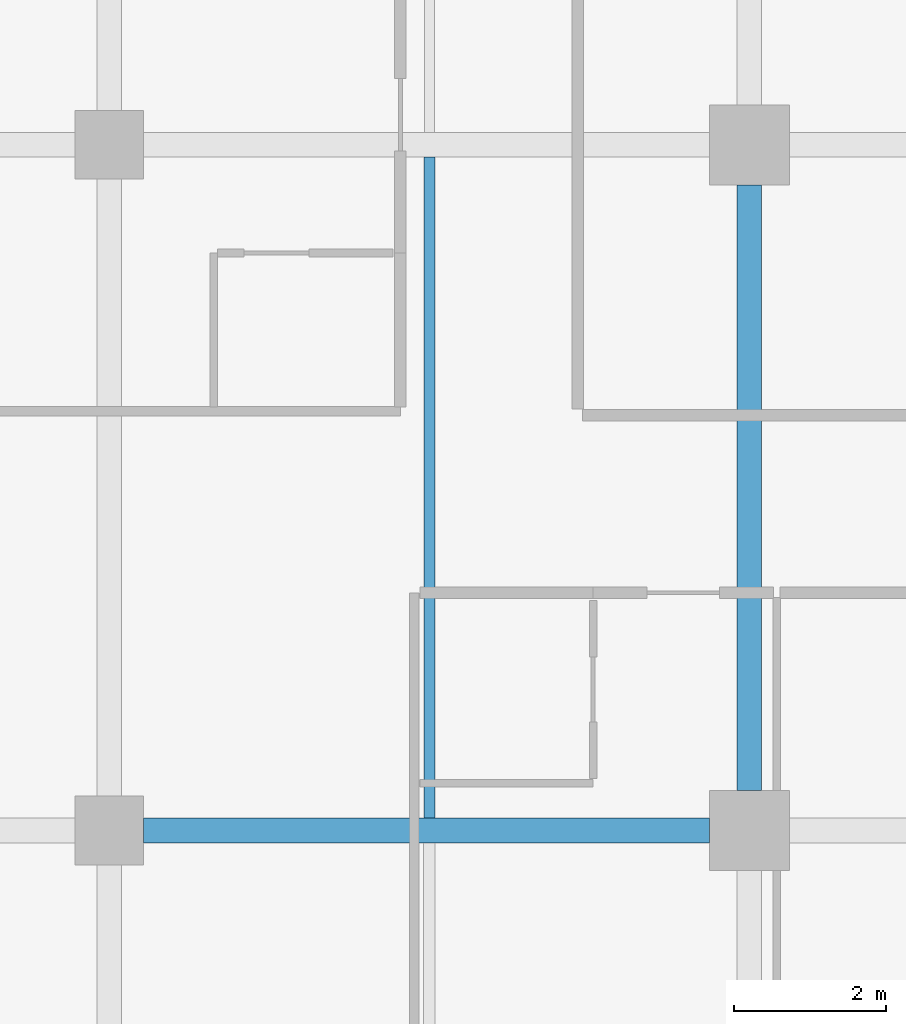
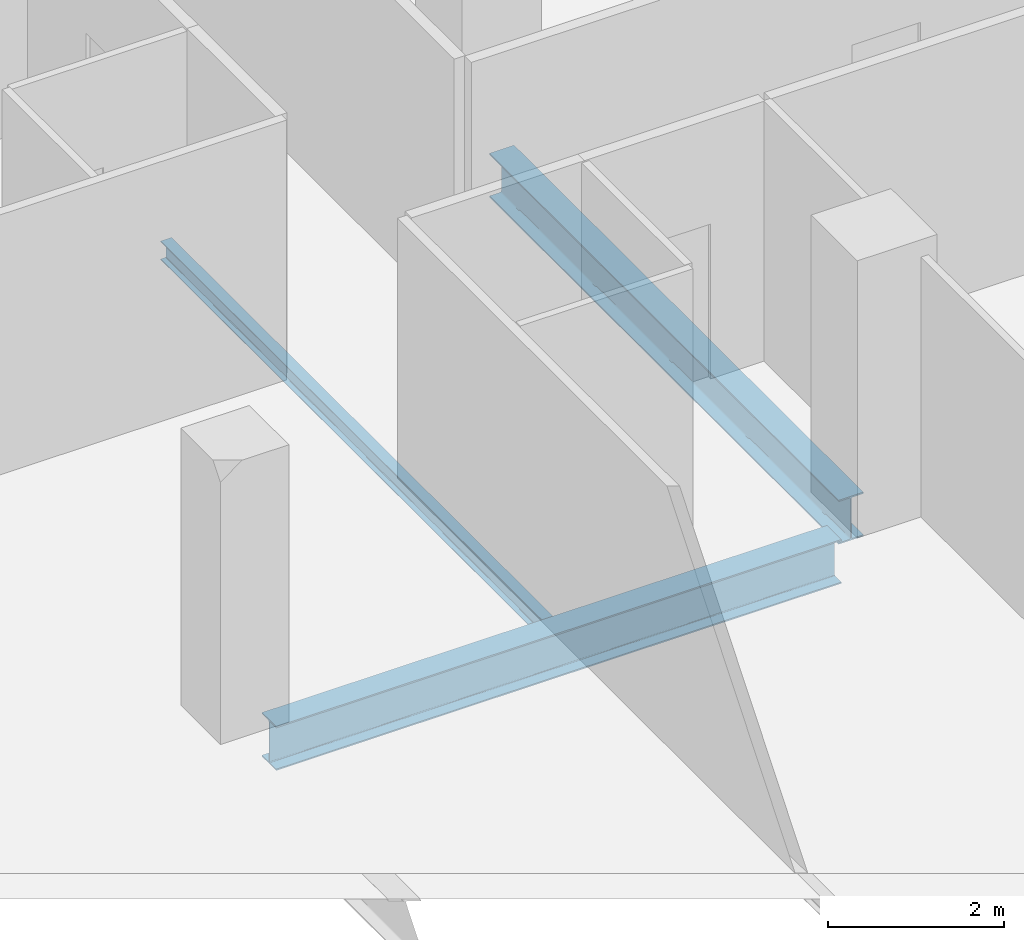
# One storey, part 6 of 40: 3 beams.
"""IFC4 building model written with IfcOpenShell, lengths in metres."""

from ifc_helpers import new_model, si_unit, direction, frame, origin, origin_2d, place, context, subcontext, project, spatial, i_section, extrude, material, material_profile, profile_set, type_object, element, save


model = new_model("IFC4")

# Units and contexts
model_context = context("Model", 3, precision=1e-05, world=origin(), true_north=direction((0.0, 1.0)))
body_context = subcontext(model_context, "Body", "Model", "MODEL_VIEW")
ifc_project = project(units=[si_unit("LENGTHUNIT", "METRE"), si_unit("AREAUNIT", "SQUARE_METRE"), si_unit("VOLUMEUNIT", "CUBIC_METRE"), si_unit("PLANEANGLEUNIT", "RADIAN"), si_unit("MASSUNIT", "GRAM", prefix="KILO")], contexts=[model_context])

# Site, building, storey
site_placement = place(None, origin())
site = spatial("IfcSite", under=ifc_project, at=site_placement, CompositionType="ELEMENT")
building_placement = place(site_placement, origin())
building = spatial("IfcBuilding", under=site, at=building_placement, Name="Maruvema Waterfront Hotel and Observation Tower", CompositionType="ELEMENT")
storey_placement = place(building_placement, frame((0.0, 0.0, 88.550048828125)))
storey = spatial("IfcBuildingStorey", under=building, at=storey_placement, Name="L21", CompositionType="ELEMENT", Elevation=88.550048828125)

# Beams
ifc_material_1 = material(Name="Steel ASTM A572 Grade 50", Category="steel")
ifc_material_profile_1 = material_profile(ifc_material_1, i_section(OverallWidth=0.323974609375, OverallDepth=0.611083984375, WebThickness=0.0126953125, FlangeThickness=0.01904296875, FilletRadius=0.01806640625, at=origin_2d()), Name="W610x155.0")
ifc_profile_set_1 = profile_set([ifc_material_profile_1], Name="Steel ASTM A572 Grade 50")
beam_type_1 = type_object("IfcBeamType", Name="Primary Floor Girder W610x155.0", PredefinedType="BEAM", material=ifc_profile_set_1)
beam_1_placement = place(storey_placement, frame((17.25, 9.0, -0.545654296875), z_axis=(1.0, 0.0, 0.0), x_axis=(0.0, 1.0, 0.0)))
element("IfcBeam", 1, at=beam_1_placement, inside=storey, type_object=beam_type_1, Name="L21 Floor Girder EW-07", PredefinedType="BEAM", context=body_context, shape_type="SweptSolid", body=[
    extrude(i_section(OverallWidth=0.323974609375, OverallDepth=0.611083984375, WebThickness=0.0126953125, FlangeThickness=0.01904296875, FilletRadius=0.01806640625, at=origin_2d()), origin(), (0.0, 0.0, 1.0), 7.425048828125),
])
beam_2_placement = place(storey_placement, frame((25.199951171875, 9.52490234375, -0.545654296875), z_axis=(0.0, 1.0, 0.0), x_axis=(-1.0, 0.0, 0.0)))
element("IfcBeam", 2, at=beam_2_placement, inside=storey, type_object=beam_type_1, Name="L21 Floor Girder NS-12", PredefinedType="BEAM", context=body_context, shape_type="SweptSolid", body=[
    extrude(i_section(OverallWidth=0.323974609375, OverallDepth=0.611083984375, WebThickness=0.0126953125, FlangeThickness=0.01904296875, FilletRadius=0.01806640625, at=origin_2d()), origin(), (0.0, 0.0, 1.0), 7.9501953125),
])
ifc_material_2 = material(Name="Steel ASTM A572 Grade 50", Category="steel")
ifc_material_profile_2 = material_profile(ifc_material_2, i_section(OverallWidth=0.14599609375, OverallDepth=0.258056640625, WebThickness=0.006103515625, FlangeThickness=0.009033203125, FilletRadius=0.012939453125, at=origin_2d()), Name="W250x32.7")
ifc_profile_set_2 = profile_set([ifc_material_profile_2], Name="Steel ASTM A572 Grade 50")
beam_type_2 = type_object("IfcBeamType", Name="Secondary Floor Joist W250x32.7", PredefinedType="JOIST", material=ifc_profile_set_2)
beam_3_placement = place(storey_placement, frame((21.0, 9.162109375, -0.369140625), z_axis=(0.0, 1.0, 0.0), x_axis=(-1.0, 0.0, 0.0)))
element("IfcBeam", 3, at=beam_3_placement, inside=storey, type_object=beam_type_2, Name="L21 Secondary Floor Joist JS-06", PredefinedType="JOIST", context=body_context, shape_type="SweptSolid", body=[
    extrude(i_section(OverallWidth=0.14599609375, OverallDepth=0.258056640625, WebThickness=0.006103515625, FlangeThickness=0.009033203125, FilletRadius=0.012939453125, at=origin_2d()), origin(), (0.0, 0.0, 1.0), 8.67578125),
])

save(model, "model.ifc")
